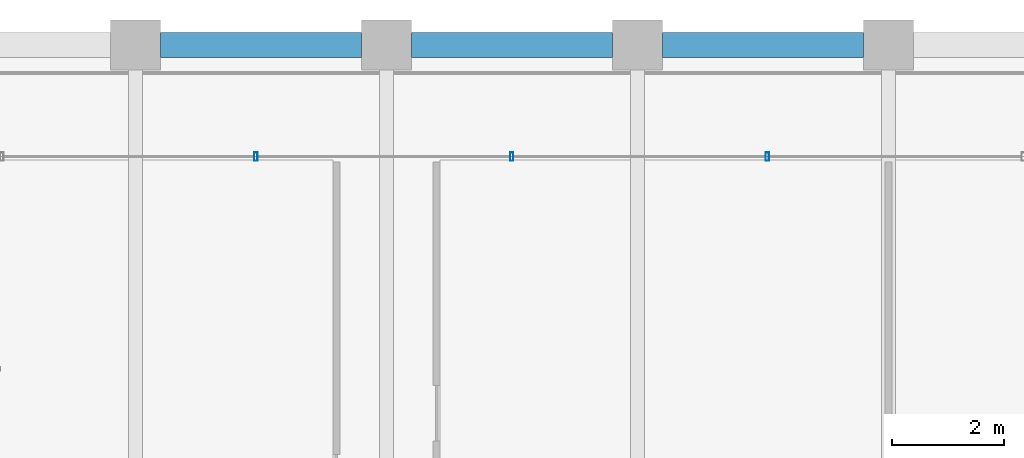
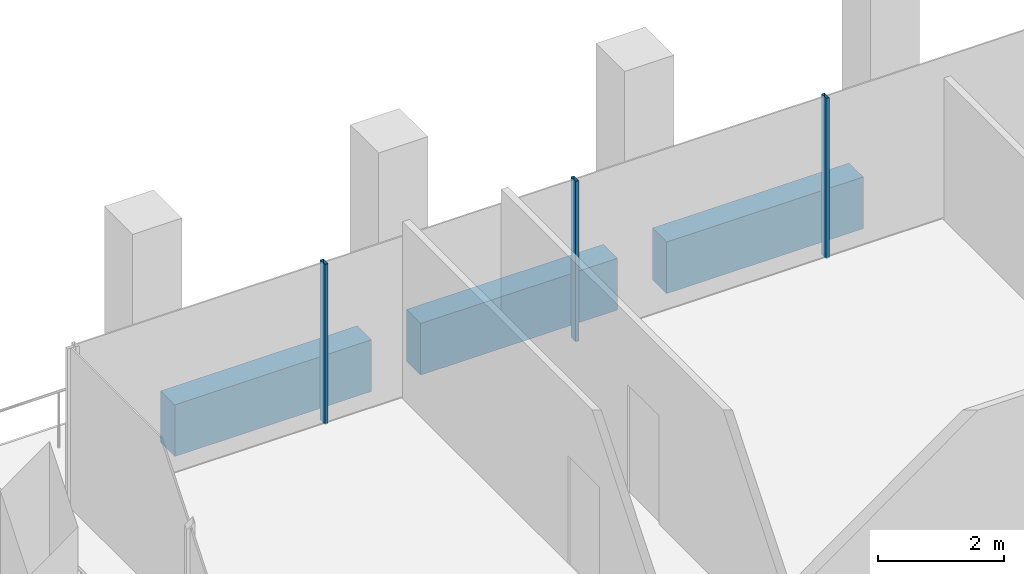
# One storey, part 23 of 40: 3 beams, 3 members, 1 element without a shape of its own.
"""IFC4 building model written with IfcOpenShell, lengths in metres."""

from ifc_helpers import new_model, si_unit, direction, frame, origin, origin_2d, place, context, subcontext, project, spatial, rectangle, hollow_rectangle, extrude, material, material_profile, profile_set, type_object, element, aggregate, save


model = new_model("IFC4")

# Units and contexts
model_context = context("Model", 3, precision=1e-05, world=origin(), true_north=direction((0.0, 1.0)))
body_context = subcontext(model_context, "Body", "Model", "MODEL_VIEW")
ifc_project = project(units=[si_unit("LENGTHUNIT", "METRE"), si_unit("AREAUNIT", "SQUARE_METRE"), si_unit("VOLUMEUNIT", "CUBIC_METRE"), si_unit("PLANEANGLEUNIT", "RADIAN"), si_unit("MASSUNIT", "GRAM", prefix="KILO")], contexts=[model_context])

# Site, building, storey
site_placement = place(None, origin())
site = spatial("IfcSite", under=ifc_project, at=site_placement, CompositionType="ELEMENT")
building_placement = place(site_placement, origin())
building = spatial("IfcBuilding", under=site, at=building_placement, Name="Altepetl Exchange Towers", CompositionType="ELEMENT")
storey_placement = place(building_placement, frame((0.0, 0.0, 147.39990234375)))
storey = spatial("IfcBuildingStorey", under=building, at=storey_placement, Name="L36", CompositionType="ELEMENT", Elevation=147.39990234375)

# Curtain wall, members
ifc_material_1 = material(Name="Aluminium 6063-T6 glazing", Category="aluminium")
curtain_wall_type = type_object("IfcCurtainWallType", Name="Loggia glazing system", PredefinedType="NOTDEFINED", material=ifc_material_1)
curtain_wall_placement = place(storey_placement, origin())
curtain_wall = element("IfcCurtainWall", 1, at=curtain_wall_placement, inside=storey, type_object=curtain_wall_type, Name="CW1 run", PredefinedType="NOTDEFINED")
ifc_material_2 = material(Name="Aluminium 6063-T6", Category="aluminium")
ifc_material_profile_1 = material_profile(ifc_material_2, hollow_rectangle(XDim=0.06005859375, YDim=0.14990234375, WallThickness=0.0029296875, at=origin_2d()), Name="Mullion 60x150 aluminium")
ifc_profile_set_1 = profile_set([ifc_material_profile_1], Name="Aluminium 6063-T6")
member_type = type_object("IfcMemberType", Name="Mullion 60x150 aluminium", PredefinedType="MULLION", material=ifc_profile_set_1)
member_1_placement = place(storey_placement, frame((56.330078125, 70.0, 0.0), z_axis=(0.0, 0.0, 1.0), x_axis=(-1.0, 0.0, 0.0)))
member_1 = element("IfcMember", 2, at=member_1_placement, type_object=member_type, Name="MU1 mullion", PredefinedType="MULLION", context=body_context, shape_type="SweptSolid", body=[
    extrude(hollow_rectangle(XDim=0.06005859375, YDim=0.14990234375, WallThickness=0.0029296875, at=origin_2d()), origin(), (0.0, 0.0, 1.0), 3.10009765625),
])
member_2_placement = place(storey_placement, frame((51.7451171875, 70.0, 0.0), z_axis=(0.0, 0.0, 1.0), x_axis=(-1.0, 0.0, 0.0)))
member_2 = element("IfcMember", 3, at=member_2_placement, type_object=member_type, Name="MU1 mullion", PredefinedType="MULLION", context=body_context, shape_type="SweptSolid", body=[
    extrude(hollow_rectangle(XDim=0.06005859375, YDim=0.14990234375, WallThickness=0.0029296875, at=origin_2d()), origin(), (0.0, 0.0, 1.0), 3.10009765625),
])
member_3_placement = place(storey_placement, frame((47.159912109375, 70.0, 0.0), z_axis=(0.0, 0.0, 1.0), x_axis=(-1.0, 0.0, 0.0)))
member_3 = element("IfcMember", 4, at=member_3_placement, type_object=member_type, Name="MU1 mullion", PredefinedType="MULLION", context=body_context, shape_type="SweptSolid", body=[
    extrude(hollow_rectangle(XDim=0.06005859375, YDim=0.14990234375, WallThickness=0.0029296875, at=origin_2d()), origin(), (0.0, 0.0, 1.0), 3.10009765625),
])
aggregate(curtain_wall, [member_1, member_2, member_3])

# Beams
ifc_material_3 = material(Name="Concrete C50/60 precast with cantera rosa facing", Category="concrete")
ifc_material_profile_2 = material_profile(ifc_material_3, rectangle(XDim=0.449951171875, YDim=1.0, at=origin_2d()), Name="450 x 1000")
ifc_profile_set_2 = profile_set([ifc_material_profile_2], Name="Concrete C50/60 precast with cantera rosa facing")
beam_type = type_object("IfcBeamType", Name="Spandrel beam 450x1000 cantera rosa", PredefinedType="SPANDREL", material=ifc_profile_set_2)
for number, where, z_axis, x_axis, name in (
    (5, (58.050048828125, 72.0, -0.64990234375), (-1.0, 0.0, 0.0), (0.0, -1.0, 0.0), "sp:A:L36:026"),
    (6, (53.550048828125, 72.0, -0.64990234375), (-1.0, 0.0, 0.0), (0.0, -1.0, 0.0), "sp:A:L36:027"),
    (7, (49.050048828125, 72.0, -0.64990234375), (-1.0, 0.0, 0.0), (0.0, -1.0, 0.0), "sp:A:L36:028"),
):
    element("IfcBeam", number, at=place(storey_placement, frame(where, z_axis=z_axis, x_axis=x_axis)), inside=storey, type_object=beam_type, Name=name, PredefinedType="SPANDREL", context=body_context, shape_type="SweptSolid", body=[
        extrude(rectangle(XDim=0.449951171875, YDim=1.0, at=origin_2d()), origin(), (0.0, 0.0, 1.0), 3.60009765625),
    ])

save(model, "model.ifc")
